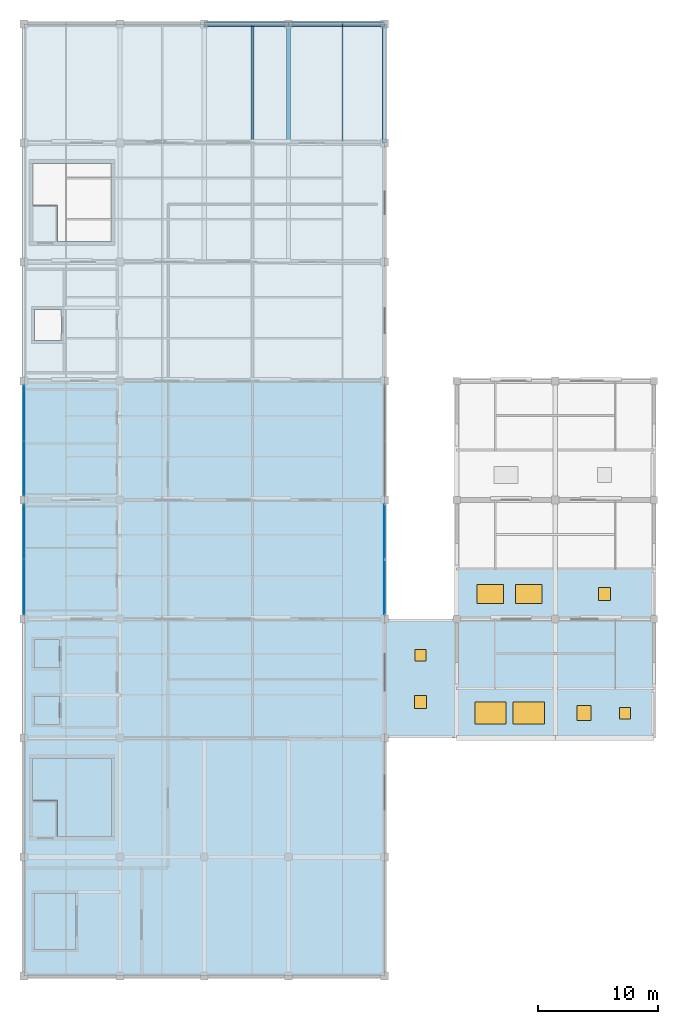
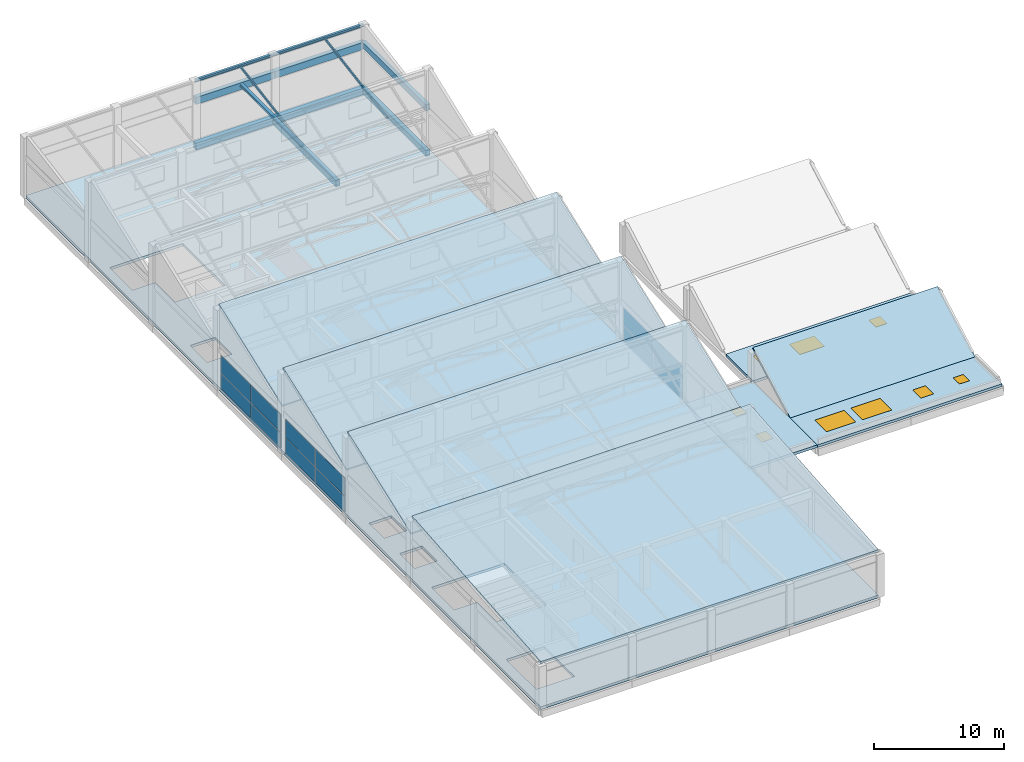
# One storey, part 25 of 35: 12 plates, 10 beams, 9 slabs, 5 doors, 4 windows, 2 members, 9 openings, 3 elements without a shape of their own.
"""IFC4 building model written with IfcOpenShell, lengths in metres."""

from ifc_helpers import new_model, si_unit, direction, frame, origin, origin_2d, place, context, subcontext, project, spatial, polyline, rectangle, hollow_rectangle, i_section, outline, extrude, material, layer, layer_set, material_profile, profile_set, type_object, element, fill, aggregate, save


model = new_model("IFC4")

# Units and contexts
model_context = context("Model", 3, precision=1e-05, world=origin(), true_north=direction((0.0, 1.0)))
body_context = subcontext(model_context, "Body", "Model", "MODEL_VIEW")
ifc_project = project(units=[si_unit("LENGTHUNIT", "METRE"), si_unit("AREAUNIT", "SQUARE_METRE"), si_unit("VOLUMEUNIT", "CUBIC_METRE"), si_unit("PLANEANGLEUNIT", "RADIAN"), si_unit("MASSUNIT", "GRAM", prefix="KILO")], contexts=[model_context])

# Site, building, storey
site_placement = place(None, origin())
site = spatial("IfcSite", under=ifc_project, at=site_placement, CompositionType="ELEMENT")
building_placement = place(site_placement, origin())
building = spatial("IfcBuilding", under=site, at=building_placement, Name="Sillaruma Civic Art Gallery", CompositionType="ELEMENT")
storey_placement = place(building_placement, frame((0.0, 0.0, 74.4599609375)))
storey = spatial("IfcBuildingStorey", under=building, at=storey_placement, Name="L15", CompositionType="ELEMENT", Elevation=74.4599609375)

# Beams
ifc_material_1 = material(Name="Concrete H35 (35 MPa)", Category="concrete")
ifc_material_profile_1 = material_profile(ifc_material_1, rectangle(XDim=0.35009765625, YDim=0.60009765625, at=origin_2d()), Name="RCB350x600")
ifc_profile_set_1 = profile_set([ifc_material_profile_1], Name="Concrete H35 (35 MPa)")
beam_type_1 = type_object("IfcBeamType", Name="BM-BEAM-RCB350x600", PredefinedType="BEAM", material=ifc_profile_set_1)
beam_1_placement = place(storey_placement, frame((84.0, 89.10009765625, -0.550048828125), z_axis=(0.0, 1.0, 0.0), x_axis=(-1.0, 0.0, 0.0)))
element("IfcBeam", 1, at=beam_1_placement, inside=storey, type_object=beam_type_1, Name="Beam BM-06 (L14:J:10-11)", PredefinedType="BEAM", context=body_context, shape_type="SweptSolid", body=[
    extrude(rectangle(XDim=0.35009765625, YDim=0.60009765625, at=origin_2d()), origin(), (0.0, 0.0, 1.0), 9.89990234375),
])
ifc_material_2 = material(Name="Structural Steel ASTM A992 Gr.50", Category="steel")
ifc_material_profile_2 = material_profile(ifc_material_2, i_section(OverallWidth=0.256103515625, OverallDepth=0.260009765625, WebThickness=0.0107421875, FlangeThickness=0.017333984375, FilletRadius=0.012939453125, at=origin_2d()), Name="W250x89")
ifc_profile_set_2 = profile_set([ifc_material_profile_2], Name="Structural Steel ASTM A992 Gr.50")
beam_type_2 = type_object("IfcBeamType", Name="BM-RJOIST-W250x89", PredefinedType="JOIST", material=ifc_profile_set_2)
beam_2_placement = place(storey_placement, frame((81.0, 89.285400390625, 3.91015625), z_axis=(0.0, 1.0, 0.0), x_axis=(-1.0, 0.0, 0.0)))
element("IfcBeam", 2, at=beam_2_placement, inside=storey, type_object=beam_type_2, Name="Long-Span Gallery Joist JSR-04 (L15:10-11)", PredefinedType="JOIST", context=body_context, shape_type="SweptSolid", body=[
    extrude(i_section(OverallWidth=0.256103515625, OverallDepth=0.260009765625, WebThickness=0.0107421875, FlangeThickness=0.017333984375, FilletRadius=0.012939453125, at=origin_2d()), origin(), (0.0, 0.0, 1.0), 9.5146484375),
])
ifc_material_profile_3 = material_profile(ifc_material_1, rectangle(XDim=0.35009765625, YDim=0.550048828125, at=origin_2d()), Name="RCB350x550")
ifc_profile_set_3 = profile_set([ifc_material_profile_3], Name="Concrete H35 (35 MPa)")
beam_type_3 = type_object("IfcBeamType", Name="BM-ROF-RCB350x550", PredefinedType="SPANDREL", material=ifc_profile_set_3)
beam_3_placement = place(storey_placement, frame((92.0, 89.10009765625, 3.76513671875), z_axis=(0.0, 1.0, 0.0), x_axis=(-1.0, 0.0, 0.0)))
element("IfcBeam", 3, at=beam_3_placement, inside=storey, type_object=beam_type_3, Name="Beam BSR-04 (L15:K:10-11)", PredefinedType="SPANDREL", context=body_context, shape_type="SweptSolid", body=[
    extrude(rectangle(XDim=0.35009765625, YDim=0.550048828125, at=origin_2d()), origin(), (0.0, 0.0, 1.0), 9.89990234375),
])
ifc_material_profile_4 = material_profile(ifc_material_1, rectangle(XDim=0.39990234375, YDim=0.64990234375, at=origin_2d()), Name="RCB400x650")
ifc_profile_set_4 = profile_set([ifc_material_profile_4], Name="Concrete H35 (35 MPa)")
beam_type_4 = type_object("IfcBeamType", Name="BM-ROF-RCB400x650", PredefinedType="SPANDREL", material=ifc_profile_set_4)
beam_4_placement = place(storey_placement, frame((77.0, 99.0, 3.715087890625), z_axis=(1.0, 0.0, 0.0), x_axis=(0.0, 1.0, 0.0)))
element("IfcBeam", 4, at=beam_4_placement, inside=storey, type_object=beam_type_4, Name="Beam BSR-02 (L15:11:H-J)", PredefinedType="SPANDREL", context=body_context, shape_type="SweptSolid", body=[
    extrude(rectangle(XDim=0.39990234375, YDim=0.64990234375, at=origin_2d()), origin(), (0.0, 0.0, 1.0), 7.0),
])
beam_5_placement = place(storey_placement, frame((84.0, 99.0, 3.715087890625), z_axis=(1.0, 0.0, 0.0), x_axis=(0.0, 1.0, 0.0)))
element("IfcBeam", 5, at=beam_5_placement, inside=storey, type_object=beam_type_4, Name="Beam BSR-02 (L15:11:J-K)", PredefinedType="SPANDREL", context=body_context, shape_type="SweptSolid", body=[
    extrude(rectangle(XDim=0.39990234375, YDim=0.64990234375, at=origin_2d()), origin(), (0.0, 0.0, 1.0), 8.0),
])
ifc_material_profile_5 = material_profile(ifc_material_2, i_section(OverallWidth=0.2041015625, OverallDepth=0.257080078125, WebThickness=0.0087890625, FlangeThickness=0.015625, FilletRadius=0.012939453125, at=origin_2d()), Name="W250x67")
ifc_profile_set_5 = profile_set([ifc_material_profile_5], Name="Structural Steel ASTM A992 Gr.50")
beam_type_5 = type_object("IfcBeamType", Name="BM-SAW-W250x67", PredefinedType="BEAM", material=ifc_profile_set_5)
beam_6_placement = place(storey_placement, frame((77.0, 99.0, 5.530029296875), z_axis=(1.0, 0.0, 0.0), x_axis=(0.0, 1.0, 0.0)))
element("IfcBeam", 6, at=beam_6_placement, inside=storey, type_object=beam_type_5, Name="Crown North Ridge Steel Girder (HJ)", PredefinedType="BEAM", context=body_context, shape_type="SweptSolid", body=[
    extrude(i_section(OverallWidth=0.2041015625, OverallDepth=0.257080078125, WebThickness=0.0087890625, FlangeThickness=0.015625, FilletRadius=0.012939453125, at=origin_2d()), origin(), (0.0, 0.0, 1.0), 7.0),
])
beam_7_placement = place(storey_placement, frame((84.0, 99.0, 5.530029296875), z_axis=(1.0, 0.0, 0.0), x_axis=(0.0, 1.0, 0.0)))
element("IfcBeam", 7, at=beam_7_placement, inside=storey, type_object=beam_type_5, Name="Crown North Ridge Steel Girder (JK)", PredefinedType="BEAM", context=body_context, shape_type="SweptSolid", body=[
    extrude(i_section(OverallWidth=0.2041015625, OverallDepth=0.257080078125, WebThickness=0.0087890625, FlangeThickness=0.015625, FilletRadius=0.012939453125, at=origin_2d()), origin(), (0.0, 0.0, 1.0), 8.0),
])
ifc_material_profile_6 = material_profile(ifc_material_1, rectangle(XDim=0.35009765625, YDim=0.550048828125, at=origin_2d()), Name="RCB350x550")
ifc_profile_set_6 = profile_set([ifc_material_profile_6], Name="Concrete H35 (35 MPa)")
beam_type_6 = type_object("IfcBeamType", Name="BM-SPANDREL-RCB350x550", PredefinedType="SPANDREL", material=ifc_profile_set_6)
beam_8_placement = place(storey_placement, frame((92.0, 89.10009765625, -0.52490234375), z_axis=(0.0, 1.0, 0.0), x_axis=(-1.0, 0.0, 0.0)))
element("IfcBeam", 8, at=beam_8_placement, inside=storey, type_object=beam_type_6, Name="Beam BS-04 (L14:K:10-11)", PredefinedType="SPANDREL", context=body_context, shape_type="SweptSolid", body=[
    extrude(rectangle(XDim=0.35009765625, YDim=0.550048828125, at=origin_2d()), origin(), (0.0, 0.0, 1.0), 9.89990234375),
])
ifc_material_profile_7 = material_profile(ifc_material_1, rectangle(XDim=0.39990234375, YDim=0.64990234375, at=origin_2d()), Name="RCB400x650")
ifc_profile_set_7 = profile_set([ifc_material_profile_7], Name="Concrete H35 (35 MPa)")
beam_type_7 = type_object("IfcBeamType", Name="BM-SPANDREL-RCB400x650", PredefinedType="SPANDREL", material=ifc_profile_set_7)
beam_9_placement = place(storey_placement, frame((77.0, 99.0, -0.574951171875), z_axis=(1.0, 0.0, 0.0), x_axis=(0.0, 1.0, 0.0)))
element("IfcBeam", 9, at=beam_9_placement, inside=storey, type_object=beam_type_7, Name="Beam BS-02 (L14:11:H-J)", PredefinedType="SPANDREL", context=body_context, shape_type="SweptSolid", body=[
    extrude(rectangle(XDim=0.39990234375, YDim=0.64990234375, at=origin_2d()), origin(), (0.0, 0.0, 1.0), 7.0),
])
beam_10_placement = place(storey_placement, frame((84.0, 99.0, -0.574951171875), z_axis=(1.0, 0.0, 0.0), x_axis=(0.0, 1.0, 0.0)))
element("IfcBeam", 10, at=beam_10_placement, inside=storey, type_object=beam_type_7, Name="Beam BS-02 (L14:11:J-K)", PredefinedType="SPANDREL", context=body_context, shape_type="SweptSolid", body=[
    extrude(rectangle(XDim=0.39990234375, YDim=0.64990234375, at=origin_2d()), origin(), (0.0, 0.0, 1.0), 8.0),
])

# Members
ifc_material_3 = material(Name="Structural Steel ASTM A500 Gr.C", Category="steel")
ifc_material_profile_8 = material_profile(ifc_material_3, hollow_rectangle(XDim=0.1201171875, YDim=0.199951171875, WallThickness=0.008056640625, InnerFilletRadius=0.008056640625, OuterFilletRadius=0.01611328125, at=origin_2d()), Name="HSS200x120x8")
ifc_profile_set_8 = profile_set([ifc_material_profile_8], Name="Structural Steel ASTM A500 Gr.C")
member_type = type_object("IfcMemberType", Name="MEM-RAF-HSS200", PredefinedType="PURLIN", material=ifc_profile_set_8)
for number, where, z_axis, x_axis, name in (
    (11, (81.0, 89.239990234375, 3.900146484375), (0.0, 0.986341193606, 0.16471505637), (-1.0, 0.0, 0.0), "Crown Sloped Steel Rafter (N-C)"),
    (12, (88.5, 89.239990234375, 3.900146484375), (0.0, 0.986341193606, 0.16471505637), (-1.0, 0.0, 0.0), "Crown Sloped Steel Rafter (N-E)"),
):
    element("IfcMember", number, at=place(storey_placement, frame(where, z_axis=z_axis, x_axis=x_axis)), inside=storey, type_object=member_type, Name=name, PredefinedType="PURLIN", context=body_context, shape_type="SweptSolid", body=[
        extrude(hollow_rectangle(XDim=0.1201171875, YDim=0.199951171875, WallThickness=0.008056640625, InnerFilletRadius=0.008056640625, OuterFilletRadius=0.01611328125, at=origin_2d()), origin(), (0.0, 0.0, 1.0), 9.895263671875),
    ])

# Curtain wall, plates
ifc_material_4 = material(Name="Thermally Broken Extruded Aluminium 6063-T6", Category="aluminium")
ifc_layer_1 = layer(ifc_material_4, 0.159912109375, Name="Thermally Broken Extruded Aluminium 6063-T6")
ifc_layer_set_1 = layer_set([ifc_layer_1], Name="Thermally Broken Extruded Aluminium 6063-T6")
curtain_wall_type_1 = type_object("IfcCurtainWallType", Name="CW-UNI-111", PredefinedType="NOTDEFINED", material=ifc_layer_set_1)
curtain_wall_1_placement = place(storey_placement, origin())
curtain_wall_1 = element("IfcCurtainWall", 13, at=curtain_wall_1_placement, inside=storey, type_object=curtain_wall_type_1, Name="Unitised Curtain Wall CW-111 (CW-L15-WBW-4)", PredefinedType="NOTDEFINED")
ifc_material_5 = material(Name="Low-E UV-Filtered Laminated Insulating Glass", Category="glass")
ifc_layer_2 = layer(ifc_material_5, 0.030029296875, Name="Low-E UV-Filtered Laminated Insulating Glass")
ifc_layer_set_2 = layer_set([ifc_layer_2], Name="Low-E UV-Filtered Laminated Insulating Glass")
plate_type_1 = type_object("IfcPlateType", Name="PNL-GLZ-30", PredefinedType="CURTAIN_PANEL", material=ifc_layer_set_2)
plate_1_placement = place(storey_placement, frame((62.0, 52.15380859375, 0.06005859375), z_axis=(0.0, 0.0, 1.0), x_axis=(0.0, 1.0, 0.0)))
plate_1 = element("IfcPlate", 14, at=plate_1_placement, type_object=plate_type_1, Name="CW-111 panel 1.1", PredefinedType="CURTAIN_PANEL", context=body_context, shape_type="SweptSolid", body=[
    extrude(rectangle(XDim=4.527587890625, YDim=0.030029296875, at=origin_2d()), origin(), (0.0, 0.0, 1.0), 1.42333984375),
])
plate_2_placement = place(storey_placement, frame((62.0, 52.15380859375, 1.54345703125), z_axis=(0.0, 0.0, 1.0), x_axis=(0.0, 1.0, 0.0)))
plate_2 = element("IfcPlate", 15, at=plate_2_placement, type_object=plate_type_1, Name="CW-111 panel 1.2", PredefinedType="CURTAIN_PANEL", context=body_context, shape_type="SweptSolid", body=[
    extrude(rectangle(XDim=4.527587890625, YDim=0.030029296875, at=origin_2d()), origin(), (0.0, 0.0, 1.0), 1.6865234375),
])
plate_3_placement = place(storey_placement, frame((62.0, 56.746337890625, 0.06005859375), z_axis=(0.0, 0.0, 1.0), x_axis=(0.0, 1.0, 0.0)))
plate_3 = element("IfcPlate", 16, at=plate_3_placement, type_object=plate_type_1, Name="CW-111 panel 2.1", PredefinedType="CURTAIN_PANEL", context=body_context, shape_type="SweptSolid", body=[
    extrude(rectangle(XDim=4.527587890625, YDim=0.030029296875, at=origin_2d()), origin(), (0.0, 0.0, 1.0), 1.42333984375),
])
plate_4_placement = place(storey_placement, frame((62.0, 56.746337890625, 1.54345703125), z_axis=(0.0, 0.0, 1.0), x_axis=(0.0, 1.0, 0.0)))
plate_4 = element("IfcPlate", 17, at=plate_4_placement, type_object=plate_type_1, Name="CW-111 panel 2.2", PredefinedType="CURTAIN_PANEL", context=body_context, shape_type="SweptSolid", body=[
    extrude(rectangle(XDim=4.527587890625, YDim=0.030029296875, at=origin_2d()), origin(), (0.0, 0.0, 1.0), 1.6865234375),
])
aggregate(curtain_wall_1, [plate_1, plate_2, plate_3, plate_4])

ifc_layer_3 = layer(ifc_material_4, 0.139892578125, Name="Thermally Broken Extruded Aluminium 6063-T6")
ifc_layer_set_3 = layer_set([ifc_layer_3], Name="Thermally Broken Extruded Aluminium 6063-T6")
curtain_wall_type_2 = type_object("IfcCurtainWallType", Name="CW-UNI-113", PredefinedType="NOTDEFINED", material=ifc_layer_set_3)
curtain_wall_2_placement = place(storey_placement, origin())
curtain_wall_2 = element("IfcCurtainWall", 18, at=curtain_wall_2_placement, inside=storey, type_object=curtain_wall_type_2, Name="Unitised Curtain Wall CW-113 (CW-L15-WBW-5)", PredefinedType="NOTDEFINED")
ifc_layer_4 = layer(ifc_material_5, 0.033935546875, Name="Low-E UV-Filtered Laminated Insulating Glass")
ifc_layer_set_4 = layer_set([ifc_layer_4], Name="Low-E UV-Filtered Laminated Insulating Glass")
plate_type_2 = type_object("IfcPlateType", Name="PNL-GLZ-34", PredefinedType="CURTAIN_PANEL", material=ifc_layer_set_4)
plate_5_placement = place(storey_placement, frame((62.0, 62.052490234375, 0.06494140625), z_axis=(0.0, 0.0, 1.0), x_axis=(0.0, 1.0, 0.0)))
plate_5 = element("IfcPlate", 19, at=plate_5_placement, type_object=plate_type_2, Name="CW-113 panel 1.1", PredefinedType="CURTAIN_PANEL", context=body_context, shape_type="SweptSolid", body=[
    extrude(rectangle(XDim=4.534912109375, YDim=0.033935546875, at=origin_2d()), origin(), (0.0, 0.0, 1.0), 1.416015625),
])
plate_6_placement = place(storey_placement, frame((62.0, 62.052490234375, 1.5458984375), z_axis=(0.0, 0.0, 1.0), x_axis=(0.0, 1.0, 0.0)))
plate_6 = element("IfcPlate", 20, at=plate_6_placement, type_object=plate_type_2, Name="CW-113 panel 1.2", PredefinedType="CURTAIN_PANEL", context=body_context, shape_type="SweptSolid", body=[
    extrude(rectangle(XDim=4.534912109375, YDim=0.033935546875, at=origin_2d()), origin(), (0.0, 0.0, 1.0), 1.67919921875),
])
plate_7_placement = place(storey_placement, frame((62.0, 66.6474609375, 0.06494140625), z_axis=(0.0, 0.0, 1.0), x_axis=(0.0, 1.0, 0.0)))
plate_7 = element("IfcPlate", 21, at=plate_7_placement, type_object=plate_type_2, Name="CW-113 panel 2.1", PredefinedType="CURTAIN_PANEL", context=body_context, shape_type="SweptSolid", body=[
    extrude(rectangle(XDim=4.534912109375, YDim=0.033935546875, at=origin_2d()), origin(), (0.0, 0.0, 1.0), 1.416015625),
])
plate_8_placement = place(storey_placement, frame((62.0, 66.6474609375, 1.5458984375), z_axis=(0.0, 0.0, 1.0), x_axis=(0.0, 1.0, 0.0)))
plate_8 = element("IfcPlate", 22, at=plate_8_placement, type_object=plate_type_2, Name="CW-113 panel 2.2", PredefinedType="CURTAIN_PANEL", context=body_context, shape_type="SweptSolid", body=[
    extrude(rectangle(XDim=4.534912109375, YDim=0.033935546875, at=origin_2d()), origin(), (0.0, 0.0, 1.0), 1.67919921875),
])
aggregate(curtain_wall_2, [plate_5, plate_6, plate_7, plate_8])

ifc_layer_5 = layer(ifc_material_4, 0.179931640625, Name="Thermally Broken Extruded Aluminium 6063-T6")
ifc_layer_set_5 = layer_set([ifc_layer_5], Name="Thermally Broken Extruded Aluminium 6063-T6")
curtain_wall_type_3 = type_object("IfcCurtainWallType", Name="CW-UNI-112", PredefinedType="NOTDEFINED", material=ifc_layer_set_5)
curtain_wall_3_placement = place(storey_placement, origin())
curtain_wall_3 = element("IfcCurtainWall", 23, at=curtain_wall_3_placement, inside=storey, type_object=curtain_wall_type_3, Name="Unitised Curtain Wall CW-112 (CW-L15-WBE-4)", PredefinedType="NOTDEFINED")
ifc_layer_6 = layer(ifc_material_5, 0.035888671875, Name="Low-E UV-Filtered Laminated Insulating Glass")
ifc_layer_set_6 = layer_set([ifc_layer_6], Name="Low-E UV-Filtered Laminated Insulating Glass")
plate_type_3 = type_object("IfcPlateType", Name="PNL-GLZ-36", PredefinedType="CURTAIN_PANEL", material=ifc_layer_set_6)
plate_9_placement = place(storey_placement, frame((92.0, 52.155029296875, 0.06982421875), z_axis=(0.0, 0.0, 1.0), x_axis=(0.0, 1.0, 0.0)))
plate_9 = element("IfcPlate", 24, at=plate_9_placement, type_object=plate_type_3, Name="CW-112 panel 1.1", PredefinedType="CURTAIN_PANEL", context=body_context, shape_type="SweptSolid", body=[
    extrude(rectangle(XDim=4.52001953125, YDim=0.035888671875, at=origin_2d()), origin(), (0.0, 0.0, 1.0), 1.408447265625),
])
plate_10_placement = place(storey_placement, frame((92.0, 52.155029296875, 1.54833984375), z_axis=(0.0, 0.0, 1.0), x_axis=(0.0, 1.0, 0.0)))
plate_10 = element("IfcPlate", 25, at=plate_10_placement, type_object=plate_type_3, Name="CW-112 panel 1.2", PredefinedType="CURTAIN_PANEL", context=body_context, shape_type="SweptSolid", body=[
    extrude(rectangle(XDim=4.52001953125, YDim=0.035888671875, at=origin_2d()), origin(), (0.0, 0.0, 1.0), 1.671630859375),
])
plate_11_placement = place(storey_placement, frame((92.0, 56.7451171875, 0.06982421875), z_axis=(0.0, 0.0, 1.0), x_axis=(0.0, 1.0, 0.0)))
plate_11 = element("IfcPlate", 26, at=plate_11_placement, type_object=plate_type_3, Name="CW-112 panel 2.1", PredefinedType="CURTAIN_PANEL", context=body_context, shape_type="SweptSolid", body=[
    extrude(rectangle(XDim=4.52001953125, YDim=0.035888671875, at=origin_2d()), origin(), (0.0, 0.0, 1.0), 1.408447265625),
])
plate_12_placement = place(storey_placement, frame((92.0, 56.7451171875, 1.54833984375), z_axis=(0.0, 0.0, 1.0), x_axis=(0.0, 1.0, 0.0)))
plate_12 = element("IfcPlate", 27, at=plate_12_placement, type_object=plate_type_3, Name="CW-112 panel 2.2", PredefinedType="CURTAIN_PANEL", context=body_context, shape_type="SweptSolid", body=[
    extrude(rectangle(XDim=4.52001953125, YDim=0.035888671875, at=origin_2d()), origin(), (0.0, 0.0, 1.0), 1.671630859375),
])
aggregate(curtain_wall_3, [plate_9, plate_10, plate_11, plate_12])

# Slabs
ifc_layer_7 = layer(ifc_material_1, 0.25, Name="Concrete H35 (35 MPa)")
ifc_layer_set_7 = layer_set([ifc_layer_7], Name="Concrete H35 (35 MPa)")
slab_type_1 = type_object("IfcSlabType", Name="SLB-FLR-250", PredefinedType="FLOOR", material=ifc_layer_set_7)
slab_1_placement = place(storey_placement, frame((0.0, 0.0, -0.25)))
element("IfcSlab", 28, at=slab_1_placement, inside=storey, type_object=slab_type_1, Name="Floor Slab SF-250 (SLB-L15-WEST)", PredefinedType="FLOOR", context=body_context, shape_type="SweptSolid", body=[
    extrude(outline(polyline([(62.0, 19.800048828125), (92.0, 19.800048828125), (92.0, 99.0), (62.0, 99.0), (62.0, 19.800048828125)]), holes=[polyline([(64.81494140625, 80.909912109375), (69.239990234375, 80.909912109375), (69.239990234375, 87.389892578125), (62.760009765625, 87.389892578125), (62.760009765625, 83.9150390625), (64.81494140625, 83.9150390625), (64.81494140625, 80.909912109375)]), polyline([(64.81494140625, 31.409912109375), (69.239990234375, 31.409912109375), (69.239990234375, 37.889892578125), (62.760009765625, 37.889892578125), (62.760009765625, 34.4150390625), (64.81494140625, 34.4150390625), (64.81494140625, 31.409912109375)]), polyline([(62.89990234375, 40.75), (64.89990234375, 40.75), (64.89990234375, 43.050048828125), (62.89990234375, 43.050048828125), (62.89990234375, 40.75)]), polyline([(62.89990234375, 45.449951171875), (64.89990234375, 45.449951171875), (64.89990234375, 47.75), (62.89990234375, 47.75), (62.89990234375, 45.449951171875)]), polyline([(62.89990234375, 72.64990234375), (65.10009765625, 72.64990234375), (65.10009765625, 75.25), (62.89990234375, 75.25), (62.89990234375, 72.64990234375)]), polyline([(62.89990234375, 22.050048828125), (66.300048828125, 22.050048828125), (66.300048828125, 26.64990234375), (62.89990234375, 26.64990234375), (62.89990234375, 22.050048828125)])]), origin(), (0.0, 0.0, 1.0), 0.25),
])
ifc_layer_8 = layer(ifc_material_1, 0.179931640625, Name="Concrete H35 (35 MPa)")
ifc_layer_set_8 = layer_set([ifc_layer_8], Name="Concrete H35 (35 MPa)")
slab_type_2 = type_object("IfcSlabType", Name="SLB-ROOF-180", PredefinedType="ROOF", material=ifc_layer_set_8)
slab_2_placement = place(storey_placement, frame((98.0, 43.760009765625, 0.0), z_axis=(0.0, -0.479939350743, 0.877301669672), x_axis=(1.0, 0.0, 0.0)))
element("IfcSlab", 29, at=slab_2_placement, inside=storey, type_object=slab_type_2, Name="Sawtooth North-Light Roof Slab (ROOF-L15-ESAW-1)", PredefinedType="ROOF", context=body_context, shape_type="SweptSolid", body=[
    extrude(outline(polyline([(0.0, 0.0), (16.39990234375, 0.0), (16.39990234375, 6.542778194556376), (0.0, 6.542778194556376), (0.0, 0.0)])), origin(), (0.0, 0.0, -1.0), 0.179931640625),
])
for number, where, z_axis, x_axis, name in (
    (30, (62.0, 39.739990234375, 4.219970703125), (0.0, -0.34776193299, 0.937582869918), (1.0, 0.0, 0.0), "Sawtooth North-Light Roof Slab (ROOF-L15-SAW-1)"),
    (31, (62.0, 59.5400390625, 4.219970703125), (0.0, -0.34776193299, 0.937582869918), (1.0, 0.0, 0.0), "Sawtooth North-Light Roof Slab (ROOF-L15-SAW-3)"),
):
    element("IfcSlab", number, at=place(storey_placement, frame(where, z_axis=z_axis, x_axis=x_axis)), inside=storey, type_object=slab_type_2, Name=name, PredefinedType="ROOF", context=body_context, shape_type="SweptSolid", body=[
        extrude(outline(polyline([(0.0, 0.0), (30.0, 0.0), (30.0, 10.40975691725452), (0.0, 10.40975691725452), (0.0, 0.0)])), origin(), (0.0, 0.0, -1.0), 0.179931640625),
    ])
ifc_layer_9 = layer(ifc_material_1, 0.195068359375, Name="Concrete H35 (35 MPa)")
ifc_layer_set_9 = layer_set([ifc_layer_9], Name="Concrete H35 (35 MPa)")
slab_type_3 = type_object("IfcSlabType", Name="SLB-ROOF-195", PredefinedType="ROOF", material=ifc_layer_set_9)
slab_3_placement = place(storey_placement, frame((62.0, 49.639892578125, 4.235107421875), z_axis=(0.0, -0.346482729624, 0.938056351224), x_axis=(1.0, 0.0, 0.0)))
element("IfcSlab", 32, at=slab_3_placement, inside=storey, type_object=slab_type_3, Name="Sawtooth North-Light Roof Slab (ROOF-L15-SAW-2)", PredefinedType="ROOF", context=body_context, shape_type="SweptSolid", body=[
    extrude(outline(polyline([(0.0, 0.0), (30.0, 0.0), (30.0, 10.404502621709716), (0.0, 10.404502621709716), (0.0, 0.0)])), origin(), (0.0, 0.0, -1.0), 0.195068359375),
])
ifc_layer_10 = layer(ifc_material_1, 0.215087890625, Name="Concrete H35 (35 MPa)")
ifc_layer_set_10 = layer_set([ifc_layer_10], Name="Concrete H35 (35 MPa)")
slab_type_4 = type_object("IfcSlabType", Name="SLB-ROOF-215", PredefinedType="ROOF", material=ifc_layer_set_10)
slab_4_placement = place(storey_placement, frame((62.0, 19.800048828125, 4.255126953125), z_axis=(0.0, -0.084785037608, 0.996399266056), x_axis=(1.0, 0.0, 0.0)))
element("IfcSlab", 33, at=slab_4_placement, inside=storey, type_object=slab_type_4, Name="Sawtooth North-Light Roof Slab (ROOF-L15-PLTS)", PredefinedType="ROOF", context=body_context, shape_type="SweptSolid", body=[
    extrude(outline(polyline([(0.0, 0.0), (30.0, 0.0), (30.0, 19.87160117699611), (0.0, 19.87160117699611), (0.0, 0.0)])), origin(), (0.0, 0.0, -1.0), 0.215087890625),
])

# Slab, openings, doors
ifc_layer_11 = layer(ifc_material_1, 0.25, Name="Concrete H35 (35 MPa)")
ifc_layer_set_11 = layer_set([ifc_layer_11], Name="Concrete H35 (35 MPa)")
slab_type_5 = type_object("IfcSlabType", Name="SLB-ROOF-250", PredefinedType="ROOF", material=ifc_layer_set_11)
slab_5_placement = place(storey_placement, frame((0.0, 0.0, -0.25)))
slab_5 = element("IfcSlab", 34, at=slab_5_placement, inside=storey, type_object=slab_type_5, Name="Roof Slab SR-250 (ROOF-L15-BRGS)", PredefinedType="ROOF", context=body_context, shape_type="SweptSolid", body=[
    extrude(outline(polyline([(92.0, 39.60009765625), (98.0, 39.60009765625), (98.0, 49.5), (92.0, 49.5), (92.0, 39.60009765625)])), origin(), (0.0, 0.0, 1.0), 0.25),
])
opening_1_placement = place(slab_5_placement, frame((95.0, 42.60009765625, -0.010009765625)))
opening_1 = element("IfcOpeningElement", 35, at=opening_1_placement, cuts=slab_5, Name="Opening RH-02", PredefinedType="OPENING", context=body_context, shape_type="SweptSolid", body=[
    extrude(rectangle(XDim=1.0, YDim=1.10009765625, at=origin_2d()), origin(), (0.0, 0.0, 1.0), 0.27001953125),
])
opening_2_placement = place(slab_5_placement, frame((95.0, 46.5, -0.010009765625)))
opening_2 = element("IfcOpeningElement", 36, at=opening_2_placement, cuts=slab_5, Name="Opening RH-03", PredefinedType="OPENING", context=body_context, shape_type="SweptSolid", body=[
    extrude(rectangle(XDim=0.89990234375, YDim=0.949951171875, at=origin_2d()), origin(), (0.0, 0.0, 1.0), 0.27001953125),
])
ifc_material_6 = material(Name="Galvanised Steel ASTM A653 Gr.50", Category="steel")
door_type_1 = type_object("IfcDoorType", Name="DOR-TRAP-090", OperationType="NOTDEFINED", PredefinedType="TRAPDOOR", material=ifc_material_6)
door_1_placement = place(slab_5_placement, frame((95.0, 46.5, 0.199951171875)))
door_1 = element("IfcDoor", 37, at=door_1_placement, inside=storey, type_object=door_type_1, Name="Maintenance Roof Access Hatch (HTCH-L15-6)", OperationType="SWING_FIXED_LEFT", OverallHeight=0.949951171875, OverallWidth=0.89990234375, PredefinedType="TRAPDOOR", context=body_context, shape_type="SweptSolid", body=[
    extrude(rectangle(XDim=0.89990234375, YDim=0.949951171875, at=origin_2d()), origin(), (0.0, 0.0, 1.0), 0.050048828125),
])
fill(opening_2, door_1)
door_type_2 = type_object("IfcDoorType", Name="DOR-TRAP-100", OperationType="NOTDEFINED", PredefinedType="TRAPDOOR", material=ifc_material_6)
door_2_placement = place(slab_5_placement, frame((95.0, 42.60009765625, 0.199951171875)))
door_2 = element("IfcDoor", 38, at=door_2_placement, inside=storey, type_object=door_type_2, Name="Maintenance Roof Access Hatch (HTCH-L15-5)", OperationType="SWING_FIXED_LEFT", OverallHeight=1.10009765625, OverallWidth=1.0, PredefinedType="TRAPDOOR", context=body_context, shape_type="SweptSolid", body=[
    extrude(rectangle(XDim=1.0, YDim=1.10009765625, at=origin_2d()), origin(), (0.0, 0.0, 1.0), 0.050048828125),
])
fill(opening_1, door_2)

# Slab, openings, doors, windows
slab_6_placement = place(storey_placement, frame((0.0, 0.0, -0.25)))
slab_6 = element("IfcSlab", 39, at=slab_6_placement, inside=storey, type_object=slab_type_5, Name="Roof Slab SR-250 (ROOF-L15-EVAL-1)", PredefinedType="ROOF", context=body_context, shape_type="SweptSolid", body=[
    extrude(outline(polyline([(98.0, 39.60009765625), (114.39990234375, 39.60009765625), (114.39990234375, 43.760009765625), (98.0, 43.760009765625), (98.0, 39.60009765625)])), origin(), (0.0, 0.0, 1.0), 0.25),
])
opening_3_placement = place(slab_6_placement, frame((100.800048828125, 41.679931640625, -0.010009765625)))
opening_3 = element("IfcOpeningElement", 40, at=opening_3_placement, cuts=slab_6, Name="Opening SK-05", PredefinedType="OPENING", context=body_context, shape_type="SweptSolid", body=[
    extrude(rectangle(XDim=2.60009765625, YDim=1.800048828125, at=origin_2d()), origin(), (0.0, 0.0, 1.0), 0.27001953125),
])
opening_4_placement = place(slab_6_placement, frame((104.0, 41.679931640625, -0.010009765625)))
opening_4 = element("IfcOpeningElement", 41, at=opening_4_placement, cuts=slab_6, Name="Opening SK-05", PredefinedType="OPENING", context=body_context, shape_type="SweptSolid", body=[
    extrude(rectangle(XDim=2.60009765625, YDim=1.800048828125, at=origin_2d()), origin(), (0.0, 0.0, 1.0), 0.27001953125),
])
opening_5_placement = place(slab_6_placement, frame((108.60009765625, 41.679931640625, -0.010009765625)))
opening_5 = element("IfcOpeningElement", 42, at=opening_5_placement, cuts=slab_6, Name="Opening RH-01", PredefinedType="OPENING", context=body_context, shape_type="SweptSolid", body=[
    extrude(rectangle(XDim=1.14990234375, YDim=1.25, at=origin_2d()), origin(), (0.0, 0.0, 1.0), 0.27001953125),
])
opening_6_placement = place(slab_6_placement, frame((112.0, 41.679931640625, -0.010009765625)))
opening_6 = element("IfcOpeningElement", 43, at=opening_6_placement, cuts=slab_6, Name="Opening RH-03", PredefinedType="OPENING", context=body_context, shape_type="SweptSolid", body=[
    extrude(rectangle(XDim=0.89990234375, YDim=0.949951171875, at=origin_2d()), origin(), (0.0, 0.0, 1.0), 0.27001953125),
])
door_3_placement = place(slab_6_placement, frame((112.0, 41.679931640625, 0.199951171875)))
door_3 = element("IfcDoor", 44, at=door_3_placement, inside=storey, type_object=door_type_1, Name="Maintenance Roof Access Hatch (HTCH-L15-4)", OperationType="SWING_FIXED_LEFT", OverallHeight=0.949951171875, OverallWidth=0.89990234375, PredefinedType="TRAPDOOR", context=body_context, shape_type="SweptSolid", body=[
    extrude(rectangle(XDim=0.89990234375, YDim=0.949951171875, at=origin_2d()), origin(), (0.0, 0.0, 1.0), 0.050048828125),
])
fill(opening_6, door_3)
door_type_3 = type_object("IfcDoorType", Name="DOR-TRAP-115", OperationType="NOTDEFINED", PredefinedType="TRAPDOOR", material=ifc_material_6)
door_4_placement = place(slab_6_placement, frame((108.60009765625, 41.679931640625, 0.199951171875)))
door_4 = element("IfcDoor", 45, at=door_4_placement, inside=storey, type_object=door_type_3, Name="Maintenance Roof Access Hatch (HTCH-L15-1)", OperationType="SWING_FIXED_LEFT", OverallHeight=1.25, OverallWidth=1.14990234375, PredefinedType="TRAPDOOR", context=body_context, shape_type="SweptSolid", body=[
    extrude(rectangle(XDim=1.14990234375, YDim=1.25, at=origin_2d()), origin(), (0.0, 0.0, 1.0), 0.050048828125),
])
fill(opening_5, door_4)
window_type_1 = type_object("IfcWindowType", Name="WIN-SKY-H1", PartitioningType="SINGLE_PANEL", PredefinedType="SKYLIGHT", material=ifc_material_4)
window_1_placement = place(slab_6_placement, frame((100.800048828125, 41.679931640625, 0.199951171875)))
window_1 = element("IfcWindow", 46, at=window_1_placement, inside=storey, type_object=window_type_1, Name="Gallery Diffusing Valley Skylight (SKY-VAL-1)", OverallHeight=1.800048828125, OverallWidth=2.60009765625, PartitioningType="SINGLE_PANEL", PredefinedType="SKYLIGHT", context=body_context, shape_type="SweptSolid", body=[
    extrude(rectangle(XDim=2.60009765625, YDim=1.800048828125, at=origin_2d()), origin(), (0.0, 0.0, 1.0), 0.050048828125),
])
fill(opening_3, window_1)
window_2_placement = place(slab_6_placement, frame((104.0, 41.679931640625, 0.199951171875)))
window_2 = element("IfcWindow", 47, at=window_2_placement, inside=storey, type_object=window_type_1, Name="Gallery Diffusing Valley Skylight (SKY-VAL-4)", OverallHeight=1.800048828125, OverallWidth=2.60009765625, PartitioningType="SINGLE_PANEL", PredefinedType="SKYLIGHT", context=body_context, shape_type="SweptSolid", body=[
    extrude(rectangle(XDim=2.60009765625, YDim=1.800048828125, at=origin_2d()), origin(), (0.0, 0.0, 1.0), 0.050048828125),
])
fill(opening_4, window_2)

# Slab, openings, door, windows
slab_7_placement = place(storey_placement, frame((0.0, 0.0, -0.25)))
slab_7 = element("IfcSlab", 48, at=slab_7_placement, inside=storey, type_object=slab_type_5, Name="Roof Slab SR-250 (ROOF-L15-EVAL-2)", PredefinedType="ROOF", context=body_context, shape_type="SweptSolid", body=[
    extrude(outline(polyline([(98.0, 49.5), (114.39990234375, 49.5), (114.39990234375, 53.659912109375), (98.0, 53.659912109375), (98.0, 49.5)])), origin(), (0.0, 0.0, 1.0), 0.25),
])
opening_7_placement = place(slab_7_placement, frame((100.800048828125, 51.580078125, -0.010009765625)))
opening_7 = element("IfcOpeningElement", 49, at=opening_7_placement, cuts=slab_7, Name="Opening SK-06", PredefinedType="OPENING", context=body_context, shape_type="SweptSolid", body=[
    extrude(rectangle(XDim=2.199951171875, YDim=1.60009765625, at=origin_2d()), origin(), (0.0, 0.0, 1.0), 0.27001953125),
])
opening_8_placement = place(slab_7_placement, frame((104.0, 51.580078125, -0.010009765625)))
opening_8 = element("IfcOpeningElement", 50, at=opening_8_placement, cuts=slab_7, Name="Opening SK-06", PredefinedType="OPENING", context=body_context, shape_type="SweptSolid", body=[
    extrude(rectangle(XDim=2.199951171875, YDim=1.60009765625, at=origin_2d()), origin(), (0.0, 0.0, 1.0), 0.27001953125),
])
opening_9_placement = place(slab_7_placement, frame((110.300048828125, 51.580078125, -0.010009765625)))
opening_9 = element("IfcOpeningElement", 51, at=opening_9_placement, cuts=slab_7, Name="Opening RH-02", PredefinedType="OPENING", context=body_context, shape_type="SweptSolid", body=[
    extrude(rectangle(XDim=1.0, YDim=1.10009765625, at=origin_2d()), origin(), (0.0, 0.0, 1.0), 0.27001953125),
])
door_5_placement = place(slab_7_placement, frame((110.300048828125, 51.580078125, 0.199951171875)))
door_5 = element("IfcDoor", 52, at=door_5_placement, inside=storey, type_object=door_type_2, Name="Maintenance Roof Access Hatch (HTCH-L15-2)", OperationType="SWING_FIXED_LEFT", OverallHeight=1.10009765625, OverallWidth=1.0, PredefinedType="TRAPDOOR", context=body_context, shape_type="SweptSolid", body=[
    extrude(rectangle(XDim=1.0, YDim=1.10009765625, at=origin_2d()), origin(), (0.0, 0.0, 1.0), 0.050048828125),
])
fill(opening_9, door_5)
window_type_2 = type_object("IfcWindowType", Name="WIN-SKY-H2", PartitioningType="SINGLE_PANEL", PredefinedType="SKYLIGHT", material=ifc_material_4)
window_3_placement = place(slab_7_placement, frame((100.800048828125, 51.580078125, 0.199951171875)))
window_3 = element("IfcWindow", 53, at=window_3_placement, inside=storey, type_object=window_type_2, Name="Gallery Diffusing Valley Skylight (SKY-VAL-2)", OverallHeight=1.60009765625, OverallWidth=2.199951171875, PartitioningType="SINGLE_PANEL", PredefinedType="SKYLIGHT", context=body_context, shape_type="SweptSolid", body=[
    extrude(rectangle(XDim=2.199951171875, YDim=1.60009765625, at=origin_2d()), origin(), (0.0, 0.0, 1.0), 0.050048828125),
])
fill(opening_7, window_3)
window_4_placement = place(slab_7_placement, frame((104.0, 51.580078125, 0.199951171875)))
window_4 = element("IfcWindow", 54, at=window_4_placement, inside=storey, type_object=window_type_2, Name="Gallery Diffusing Valley Skylight (SKY-VAL-5)", OverallHeight=1.60009765625, OverallWidth=2.199951171875, PartitioningType="SINGLE_PANEL", PredefinedType="SKYLIGHT", context=body_context, shape_type="SweptSolid", body=[
    extrude(rectangle(XDim=2.199951171875, YDim=1.60009765625, at=origin_2d()), origin(), (0.0, 0.0, 1.0), 0.050048828125),
])
fill(opening_8, window_4)

save(model, "model.ifc")
